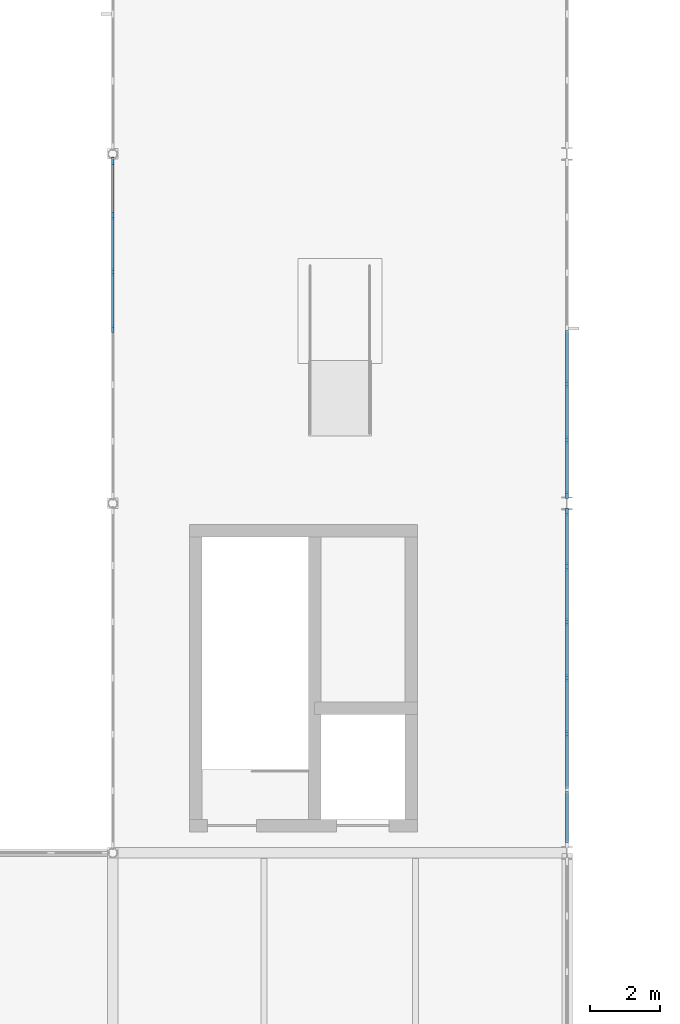
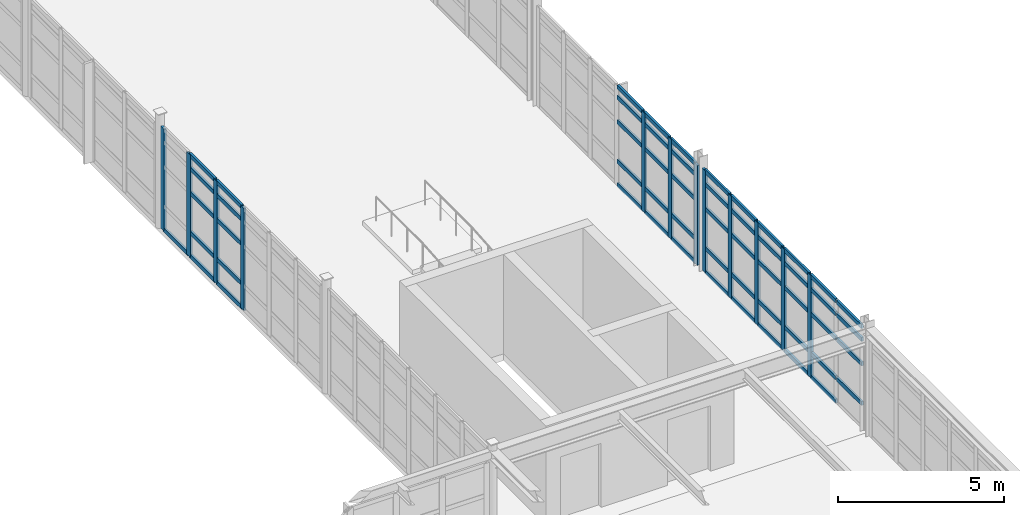
# One storey, part 52 of 122: 67 members, 3 elements without a shape of their own.
"""IFC4 building model written with IfcOpenShell, lengths in metres."""

from ifc_helpers import new_model, si_unit, direction, frame, origin, origin_2d, place, context, subcontext, project, spatial, rectangle, extrude, material, layer, layer_set, material_profile, profile_set, type_object, element, aggregate, save


model = new_model("IFC4")

# Units and contexts
model_context = context("Model", 3, precision=1e-05, world=origin(), true_north=direction((0.0, 1.0)))
body_context = subcontext(model_context, "Body", "Model", "MODEL_VIEW")
ifc_project = project(units=[si_unit("LENGTHUNIT", "METRE"), si_unit("AREAUNIT", "SQUARE_METRE"), si_unit("VOLUMEUNIT", "CUBIC_METRE"), si_unit("PLANEANGLEUNIT", "RADIAN"), si_unit("MASSUNIT", "GRAM", prefix="KILO"), si_unit("THERMODYNAMICTEMPERATUREUNIT", "KELVIN"), si_unit("POWERUNIT", "WATT")], contexts=[model_context])

# Site, building, storey
site_placement = place(None, origin())
site = spatial("IfcSite", under=ifc_project, at=site_placement, CompositionType="ELEMENT")
building_placement = place(site_placement, origin())
building = spatial("IfcBuilding", under=site, at=building_placement, Name="Korenveer Ferry Terminal", CompositionType="ELEMENT")
storey_placement = place(building_placement, frame((0.0, 0.0, 10.199951171875)))
storey = spatial("IfcBuildingStorey", under=building, at=storey_placement, Name="L02", CompositionType="ELEMENT", Elevation=10.199951171875)

# Curtain wall, members
ifc_material_1 = material(Name="Unitised bronze-and-glass curtain wall", Category="glass")
ifc_layer_1 = layer(ifc_material_1, 0.219970703125)
ifc_layer_set_1 = layer_set([ifc_layer_1], Name="Unitised bronze-and-glass curtain wall")
curtain_wall_type_1 = type_object("IfcCurtainWallType", Name="ENV-CW-111", PredefinedType="USERDEFINED", material=ifc_layer_set_1)
curtain_wall_1_placement = place(storey_placement, frame((40.0, 90.16650390625, 0.0)))
curtain_wall_1 = element("IfcCurtainWall", 1, at=curtain_wall_1_placement, inside=storey, type_object=curtain_wall_type_1, Name="Lancet curtain wall CWX-L02-X40-40-Y90-100", ObjectType="UNITISED CURTAIN WALL", PredefinedType="USERDEFINED")
ifc_material_2 = material(Name="Anodised bronze aluminium", Category="aluminium")
ifc_material_profile_1 = material_profile(ifc_material_2, rectangle(XDim=0.074951171875, YDim=0.219970703125, at=origin_2d()), Name="ALU 75x220")
ifc_profile_set_1 = profile_set([ifc_material_profile_1], Name="Anodised bronze aluminium")
member_type_1 = type_object("IfcMemberType", Name="ENV-CWM-75X220", PredefinedType="MULLION", material=ifc_profile_set_1)
member_1_placement = place(storey_placement, frame((40.0, 95.0, 0.0), z_axis=(0.0, 0.0, 1.0), x_axis=(-1.0, 0.0, 0.0)))
member_1 = element("IfcMember", 2, at=member_1_placement, type_object=member_type_1, Name="CW-111 mullion 4", PredefinedType="MULLION", context=body_context, shape_type="SweptSolid", body=[
    extrude(rectangle(XDim=0.074951171875, YDim=0.219970703125, at=origin_2d()), origin(), (0.0, 0.0, 1.0), 3.760009765625),
])
member_2_placement = place(storey_placement, frame((40.0, 96.611083984375, 0.0), z_axis=(0.0, 0.0, 1.0), x_axis=(-1.0, 0.0, 0.0)))
member_2 = element("IfcMember", 3, at=member_2_placement, type_object=member_type_1, Name="CW-111 mullion 5", PredefinedType="MULLION", context=body_context, shape_type="SweptSolid", body=[
    extrude(rectangle(XDim=0.074951171875, YDim=0.219970703125, at=origin_2d()), origin(), (0.0, 0.0, 1.0), 3.760009765625),
])
member_3_placement = place(storey_placement, frame((40.0, 98.222412109375, 0.0), z_axis=(0.0, 0.0, 1.0), x_axis=(-1.0, 0.0, 0.0)))
member_3 = element("IfcMember", 4, at=member_3_placement, type_object=member_type_1, Name="CW-111 mullion 6", PredefinedType="MULLION", context=body_context, shape_type="SweptSolid", body=[
    extrude(rectangle(XDim=0.074951171875, YDim=0.219970703125, at=origin_2d()), origin(), (0.0, 0.0, 1.0), 3.760009765625),
])
member_4_placement = place(storey_placement, frame((40.0, 99.7958984375, 0.0), z_axis=(0.0, 0.0, 1.0), x_axis=(-1.0, 0.0, 0.0)))
member_4 = element("IfcMember", 5, at=member_4_placement, type_object=member_type_1, Name="CW-111 mullion 7", PredefinedType="MULLION", context=body_context, shape_type="SweptSolid", body=[
    extrude(rectangle(XDim=0.074951171875, YDim=0.219970703125, at=origin_2d()), origin(), (0.0, 0.0, 1.0), 3.760009765625),
])

ifc_layer_2 = layer(ifc_material_1, 0.219970703125)
ifc_layer_set_2 = layer_set([ifc_layer_2], Name="Unitised bronze-and-glass curtain wall")
curtain_wall_type_2 = type_object("IfcCurtainWallType", Name="ENV-CW-117", PredefinedType="USERDEFINED", material=ifc_layer_set_2)
curtain_wall_2_placement = place(storey_placement, frame((53.0, 89.7900390625, 0.0)))
curtain_wall_2 = element("IfcCurtainWall", 6, at=curtain_wall_2_placement, inside=storey, type_object=curtain_wall_type_2, Name="Lancet curtain wall CWX-L02-X53-53-Y80-90", ObjectType="UNITISED CURTAIN WALL", PredefinedType="USERDEFINED")
member_5_placement = place(storey_placement, frame((53.0, 89.75244140625, 0.0), z_axis=(0.0, 0.0, 1.0), x_axis=(1.0, 0.0, 0.0)))
member_5 = element("IfcMember", 7, at=member_5_placement, type_object=member_type_1, Name="CW-117 mullion 1", PredefinedType="MULLION", context=body_context, shape_type="SweptSolid", body=[
    extrude(rectangle(XDim=0.074951171875, YDim=0.219970703125, at=origin_2d()), origin(), (0.0, 0.0, 1.0), 3.760009765625),
])
member_6_placement = place(storey_placement, frame((53.0, 88.193359375, 0.0), z_axis=(0.0, 0.0, 1.0), x_axis=(1.0, 0.0, 0.0)))
member_6 = element("IfcMember", 8, at=member_6_placement, type_object=member_type_1, Name="CW-117 mullion 2", PredefinedType="MULLION", context=body_context, shape_type="SweptSolid", body=[
    extrude(rectangle(XDim=0.074951171875, YDim=0.219970703125, at=origin_2d()), origin(), (0.0, 0.0, 1.0), 3.760009765625),
])
member_7_placement = place(storey_placement, frame((53.0, 86.5966796875, 0.0), z_axis=(0.0, 0.0, 1.0), x_axis=(1.0, 0.0, 0.0)))
member_7 = element("IfcMember", 9, at=member_7_placement, type_object=member_type_1, Name="CW-117 mullion 3", PredefinedType="MULLION", context=body_context, shape_type="SweptSolid", body=[
    extrude(rectangle(XDim=0.074951171875, YDim=0.219970703125, at=origin_2d()), origin(), (0.0, 0.0, 1.0), 3.760009765625),
])
member_8_placement = place(storey_placement, frame((53.0, 85.0, 0.0), z_axis=(0.0, 0.0, 1.0), x_axis=(1.0, 0.0, 0.0)))
member_8 = element("IfcMember", 10, at=member_8_placement, type_object=member_type_1, Name="CW-117 mullion 4", PredefinedType="MULLION", context=body_context, shape_type="SweptSolid", body=[
    extrude(rectangle(XDim=0.074951171875, YDim=0.219970703125, at=origin_2d()), origin(), (0.0, 0.0, 1.0), 3.760009765625),
])
member_9_placement = place(storey_placement, frame((53.0, 83.4033203125, 0.0), z_axis=(0.0, 0.0, 1.0), x_axis=(1.0, 0.0, 0.0)))
member_9 = element("IfcMember", 11, at=member_9_placement, type_object=member_type_1, Name="CW-117 mullion 5", PredefinedType="MULLION", context=body_context, shape_type="SweptSolid", body=[
    extrude(rectangle(XDim=0.074951171875, YDim=0.219970703125, at=origin_2d()), origin(), (0.0, 0.0, 1.0), 3.760009765625),
])

ifc_layer_3 = layer(ifc_material_1, 0.219970703125)
ifc_layer_set_3 = layer_set([ifc_layer_3], Name="Unitised bronze-and-glass curtain wall")
curtain_wall_type_3 = type_object("IfcCurtainWallType", Name="ENV-CW-115", PredefinedType="USERDEFINED", material=ifc_layer_set_3)
curtain_wall_3_placement = place(storey_placement, frame((53.0, 99.7900390625, 0.0)))
curtain_wall_3 = element("IfcCurtainWall", 12, at=curtain_wall_3_placement, inside=storey, type_object=curtain_wall_type_3, Name="Lancet curtain wall CWX-L02-X53-53-Y90-100", ObjectType="UNITISED CURTAIN WALL", PredefinedType="USERDEFINED")
member_10_placement = place(storey_placement, frame((53.0, 93.4033203125, 0.0), z_axis=(0.0, 0.0, 1.0), x_axis=(1.0, 0.0, 0.0)))
member_10 = element("IfcMember", 13, at=member_10_placement, type_object=member_type_1, Name="CW-115 mullion 5", PredefinedType="MULLION", context=body_context, shape_type="SweptSolid", body=[
    extrude(rectangle(XDim=0.074951171875, YDim=0.219970703125, at=origin_2d()), origin(), (0.0, 0.0, 1.0), 3.66015625),
])
member_11_placement = place(storey_placement, frame((53.0, 91.806640625, 0.0), z_axis=(0.0, 0.0, 1.0), x_axis=(1.0, 0.0, 0.0)))
member_11 = element("IfcMember", 14, at=member_11_placement, type_object=member_type_1, Name="CW-115 mullion 6", PredefinedType="MULLION", context=body_context, shape_type="SweptSolid", body=[
    extrude(rectangle(XDim=0.074951171875, YDim=0.219970703125, at=origin_2d()), origin(), (0.0, 0.0, 1.0), 3.66015625),
])
member_12_placement = place(storey_placement, frame((53.0, 90.24755859375, 0.0), z_axis=(0.0, 0.0, 1.0), x_axis=(1.0, 0.0, 0.0)))
member_12 = element("IfcMember", 15, at=member_12_placement, type_object=member_type_1, Name="CW-115 mullion 7", PredefinedType="MULLION", context=body_context, shape_type="SweptSolid", body=[
    extrude(rectangle(XDim=0.074951171875, YDim=0.219970703125, at=origin_2d()), origin(), (0.0, 0.0, 1.0), 3.66015625),
])

# Member
ifc_material_profile_2 = material_profile(ifc_material_2, rectangle(XDim=0.074951171875, YDim=0.14990234375, at=origin_2d()), Name="ALU 75x150")
ifc_profile_set_2 = profile_set([ifc_material_profile_2], Name="Anodised bronze aluminium")
member_type_2 = type_object("IfcMemberType", Name="ENV-CWT-75X150", PredefinedType="USERDEFINED", material=ifc_profile_set_2)
member_13_placement = place(storey_placement, frame((40.0, 95.03759765625, 0.03759765625), z_axis=(0.0, 1.0, 0.0), x_axis=(-1.0, 0.0, 0.0)))
member_13 = element("IfcMember", 16, at=member_13_placement, type_object=member_type_2, Name="CW-111 transom 4.1", ObjectType="TRANSOM", PredefinedType="USERDEFINED", context=body_context, shape_type="SweptSolid", body=[
    extrude(rectangle(XDim=0.074951171875, YDim=0.14990234375, at=origin_2d()), origin(), (0.0, 0.0, 1.0), 1.5361328125),
])

member_14_placement = place(storey_placement, frame((40.0, 95.03759765625, 0.900146484375), z_axis=(0.0, 1.0, 0.0), x_axis=(-1.0, 0.0, 0.0)))
member_14 = element("IfcMember", 17, at=member_14_placement, type_object=member_type_2, Name="CW-111 transom 4.2", ObjectType="TRANSOM", PredefinedType="USERDEFINED", context=body_context, shape_type="SweptSolid", body=[
    extrude(rectangle(XDim=0.074951171875, YDim=0.14990234375, at=origin_2d()), origin(), (0.0, 0.0, 1.0), 1.5361328125),
])

member_15_placement = place(storey_placement, frame((40.0, 95.03759765625, 2.35009765625), z_axis=(0.0, 1.0, 0.0), x_axis=(-1.0, 0.0, 0.0)))
member_15 = element("IfcMember", 18, at=member_15_placement, type_object=member_type_2, Name="CW-111 transom 4.3", ObjectType="TRANSOM", PredefinedType="USERDEFINED", context=body_context, shape_type="SweptSolid", body=[
    extrude(rectangle(XDim=0.074951171875, YDim=0.14990234375, at=origin_2d()), origin(), (0.0, 0.0, 1.0), 1.5361328125),
])

member_16_placement = place(storey_placement, frame((40.0, 95.03759765625, 3.25), z_axis=(0.0, 1.0, 0.0), x_axis=(-1.0, 0.0, 0.0)))
member_16 = element("IfcMember", 19, at=member_16_placement, type_object=member_type_2, Name="CW-111 transom 4.4", ObjectType="TRANSOM", PredefinedType="USERDEFINED", context=body_context, shape_type="SweptSolid", body=[
    extrude(rectangle(XDim=0.074951171875, YDim=0.14990234375, at=origin_2d()), origin(), (0.0, 0.0, 1.0), 1.5361328125),
])

member_17_placement = place(storey_placement, frame((40.0, 95.03759765625, 3.72265625), z_axis=(0.0, 1.0, 0.0), x_axis=(-1.0, 0.0, 0.0)))
member_17 = element("IfcMember", 20, at=member_17_placement, type_object=member_type_2, Name="CW-111 transom 4.5", ObjectType="TRANSOM", PredefinedType="USERDEFINED", context=body_context, shape_type="SweptSolid", body=[
    extrude(rectangle(XDim=0.074951171875, YDim=0.14990234375, at=origin_2d()), origin(), (0.0, 0.0, 1.0), 1.5361328125),
])

member_18_placement = place(storey_placement, frame((40.0, 96.648681640625, 0.03759765625), z_axis=(0.0, 1.0, 0.0), x_axis=(-1.0, 0.0, 0.0)))
member_18 = element("IfcMember", 21, at=member_18_placement, type_object=member_type_2, Name="CW-111 transom 5.1", ObjectType="TRANSOM", PredefinedType="USERDEFINED", context=body_context, shape_type="SweptSolid", body=[
    extrude(rectangle(XDim=0.074951171875, YDim=0.14990234375, at=origin_2d()), origin(), (0.0, 0.0, 1.0), 1.5361328125),
])

member_19_placement = place(storey_placement, frame((40.0, 96.648681640625, 0.900146484375), z_axis=(0.0, 1.0, 0.0), x_axis=(-1.0, 0.0, 0.0)))
member_19 = element("IfcMember", 22, at=member_19_placement, type_object=member_type_2, Name="CW-111 transom 5.2", ObjectType="TRANSOM", PredefinedType="USERDEFINED", context=body_context, shape_type="SweptSolid", body=[
    extrude(rectangle(XDim=0.074951171875, YDim=0.14990234375, at=origin_2d()), origin(), (0.0, 0.0, 1.0), 1.5361328125),
])

member_20_placement = place(storey_placement, frame((40.0, 96.648681640625, 2.35009765625), z_axis=(0.0, 1.0, 0.0), x_axis=(-1.0, 0.0, 0.0)))
member_20 = element("IfcMember", 23, at=member_20_placement, type_object=member_type_2, Name="CW-111 transom 5.3", ObjectType="TRANSOM", PredefinedType="USERDEFINED", context=body_context, shape_type="SweptSolid", body=[
    extrude(rectangle(XDim=0.074951171875, YDim=0.14990234375, at=origin_2d()), origin(), (0.0, 0.0, 1.0), 1.5361328125),
])

member_21_placement = place(storey_placement, frame((40.0, 96.648681640625, 3.25), z_axis=(0.0, 1.0, 0.0), x_axis=(-1.0, 0.0, 0.0)))
member_21 = element("IfcMember", 24, at=member_21_placement, type_object=member_type_2, Name="CW-111 transom 5.4", ObjectType="TRANSOM", PredefinedType="USERDEFINED", context=body_context, shape_type="SweptSolid", body=[
    extrude(rectangle(XDim=0.074951171875, YDim=0.14990234375, at=origin_2d()), origin(), (0.0, 0.0, 1.0), 1.5361328125),
])

member_22_placement = place(storey_placement, frame((40.0, 96.648681640625, 3.72265625), z_axis=(0.0, 1.0, 0.0), x_axis=(-1.0, 0.0, 0.0)))
member_22 = element("IfcMember", 25, at=member_22_placement, type_object=member_type_2, Name="CW-111 transom 5.5", ObjectType="TRANSOM", PredefinedType="USERDEFINED", context=body_context, shape_type="SweptSolid", body=[
    extrude(rectangle(XDim=0.074951171875, YDim=0.14990234375, at=origin_2d()), origin(), (0.0, 0.0, 1.0), 1.5361328125),
])

member_23_placement = place(storey_placement, frame((40.0, 98.259765625, 0.03759765625), z_axis=(0.0, 1.0, 0.0), x_axis=(-1.0, 0.0, 0.0)))
member_23 = element("IfcMember", 26, at=member_23_placement, type_object=member_type_2, Name="CW-111 transom 6.1", ObjectType="TRANSOM", PredefinedType="USERDEFINED", context=body_context, shape_type="SweptSolid", body=[
    extrude(rectangle(XDim=0.074951171875, YDim=0.14990234375, at=origin_2d()), origin(), (0.0, 0.0, 1.0), 1.498779296875),
])

aggregate(curtain_wall_1, [member_1, member_2, member_3, member_4, member_13, member_14, member_15, member_16, member_17, member_18, member_19, member_20, member_21, member_22, member_23])

member_24_placement = place(storey_placement, frame((53.0, 89.715087890625, 0.03759765625), z_axis=(0.0, -1.0, 0.0), x_axis=(1.0, 0.0, 0.0)))
member_24 = element("IfcMember", 27, at=member_24_placement, type_object=member_type_2, Name="CW-117 transom 1.1", ObjectType="TRANSOM", PredefinedType="USERDEFINED", context=body_context, shape_type="SweptSolid", body=[
    extrude(rectangle(XDim=0.074951171875, YDim=0.14990234375, at=origin_2d()), origin(), (0.0, 0.0, 1.0), 1.484375),
])

member_25_placement = place(storey_placement, frame((53.0, 89.715087890625, 0.900146484375), z_axis=(0.0, -1.0, 0.0), x_axis=(1.0, 0.0, 0.0)))
member_25 = element("IfcMember", 28, at=member_25_placement, type_object=member_type_2, Name="CW-117 transom 1.2", ObjectType="TRANSOM", PredefinedType="USERDEFINED", context=body_context, shape_type="SweptSolid", body=[
    extrude(rectangle(XDim=0.074951171875, YDim=0.14990234375, at=origin_2d()), origin(), (0.0, 0.0, 1.0), 1.484375),
])

member_26_placement = place(storey_placement, frame((53.0, 89.715087890625, 2.35009765625), z_axis=(0.0, -1.0, 0.0), x_axis=(1.0, 0.0, 0.0)))
member_26 = element("IfcMember", 29, at=member_26_placement, type_object=member_type_2, Name="CW-117 transom 1.3", ObjectType="TRANSOM", PredefinedType="USERDEFINED", context=body_context, shape_type="SweptSolid", body=[
    extrude(rectangle(XDim=0.074951171875, YDim=0.14990234375, at=origin_2d()), origin(), (0.0, 0.0, 1.0), 1.484375),
])

member_27_placement = place(storey_placement, frame((53.0, 89.715087890625, 3.25), z_axis=(0.0, -1.0, 0.0), x_axis=(1.0, 0.0, 0.0)))
member_27 = element("IfcMember", 30, at=member_27_placement, type_object=member_type_2, Name="CW-117 transom 1.4", ObjectType="TRANSOM", PredefinedType="USERDEFINED", context=body_context, shape_type="SweptSolid", body=[
    extrude(rectangle(XDim=0.074951171875, YDim=0.14990234375, at=origin_2d()), origin(), (0.0, 0.0, 1.0), 1.484375),
])

member_28_placement = place(storey_placement, frame((53.0, 89.715087890625, 3.72265625), z_axis=(0.0, -1.0, 0.0), x_axis=(1.0, 0.0, 0.0)))
member_28 = element("IfcMember", 31, at=member_28_placement, type_object=member_type_2, Name="CW-117 transom 1.5", ObjectType="TRANSOM", PredefinedType="USERDEFINED", context=body_context, shape_type="SweptSolid", body=[
    extrude(rectangle(XDim=0.074951171875, YDim=0.14990234375, at=origin_2d()), origin(), (0.0, 0.0, 1.0), 1.484375),
])

member_29_placement = place(storey_placement, frame((53.0, 88.15576171875, 0.03759765625), z_axis=(0.0, -1.0, 0.0), x_axis=(1.0, 0.0, 0.0)))
member_29 = element("IfcMember", 32, at=member_29_placement, type_object=member_type_2, Name="CW-117 transom 2.1", ObjectType="TRANSOM", PredefinedType="USERDEFINED", context=body_context, shape_type="SweptSolid", body=[
    extrude(rectangle(XDim=0.074951171875, YDim=0.14990234375, at=origin_2d()), origin(), (0.0, 0.0, 1.0), 1.521484375),
])

member_30_placement = place(storey_placement, frame((53.0, 88.15576171875, 0.900146484375), z_axis=(0.0, -1.0, 0.0), x_axis=(1.0, 0.0, 0.0)))
member_30 = element("IfcMember", 33, at=member_30_placement, type_object=member_type_2, Name="CW-117 transom 2.2", ObjectType="TRANSOM", PredefinedType="USERDEFINED", context=body_context, shape_type="SweptSolid", body=[
    extrude(rectangle(XDim=0.074951171875, YDim=0.14990234375, at=origin_2d()), origin(), (0.0, 0.0, 1.0), 1.521484375),
])

member_31_placement = place(storey_placement, frame((53.0, 88.15576171875, 2.35009765625), z_axis=(0.0, -1.0, 0.0), x_axis=(1.0, 0.0, 0.0)))
member_31 = element("IfcMember", 34, at=member_31_placement, type_object=member_type_2, Name="CW-117 transom 2.3", ObjectType="TRANSOM", PredefinedType="USERDEFINED", context=body_context, shape_type="SweptSolid", body=[
    extrude(rectangle(XDim=0.074951171875, YDim=0.14990234375, at=origin_2d()), origin(), (0.0, 0.0, 1.0), 1.521484375),
])

member_32_placement = place(storey_placement, frame((53.0, 88.15576171875, 3.25), z_axis=(0.0, -1.0, 0.0), x_axis=(1.0, 0.0, 0.0)))
member_32 = element("IfcMember", 35, at=member_32_placement, type_object=member_type_2, Name="CW-117 transom 2.4", ObjectType="TRANSOM", PredefinedType="USERDEFINED", context=body_context, shape_type="SweptSolid", body=[
    extrude(rectangle(XDim=0.074951171875, YDim=0.14990234375, at=origin_2d()), origin(), (0.0, 0.0, 1.0), 1.521484375),
])

member_33_placement = place(storey_placement, frame((53.0, 88.15576171875, 3.72265625), z_axis=(0.0, -1.0, 0.0), x_axis=(1.0, 0.0, 0.0)))
member_33 = element("IfcMember", 36, at=member_33_placement, type_object=member_type_2, Name="CW-117 transom 2.5", ObjectType="TRANSOM", PredefinedType="USERDEFINED", context=body_context, shape_type="SweptSolid", body=[
    extrude(rectangle(XDim=0.074951171875, YDim=0.14990234375, at=origin_2d()), origin(), (0.0, 0.0, 1.0), 1.521484375),
])

member_34_placement = place(storey_placement, frame((53.0, 86.55908203125, 0.03759765625), z_axis=(0.0, -1.0, 0.0), x_axis=(1.0, 0.0, 0.0)))
member_34 = element("IfcMember", 37, at=member_34_placement, type_object=member_type_2, Name="CW-117 transom 3.1", ObjectType="TRANSOM", PredefinedType="USERDEFINED", context=body_context, shape_type="SweptSolid", body=[
    extrude(rectangle(XDim=0.074951171875, YDim=0.14990234375, at=origin_2d()), origin(), (0.0, 0.0, 1.0), 1.521484375),
])

member_35_placement = place(storey_placement, frame((53.0, 86.55908203125, 0.900146484375), z_axis=(0.0, -1.0, 0.0), x_axis=(1.0, 0.0, 0.0)))
member_35 = element("IfcMember", 38, at=member_35_placement, type_object=member_type_2, Name="CW-117 transom 3.2", ObjectType="TRANSOM", PredefinedType="USERDEFINED", context=body_context, shape_type="SweptSolid", body=[
    extrude(rectangle(XDim=0.074951171875, YDim=0.14990234375, at=origin_2d()), origin(), (0.0, 0.0, 1.0), 1.521484375),
])

member_36_placement = place(storey_placement, frame((53.0, 86.55908203125, 2.35009765625), z_axis=(0.0, -1.0, 0.0), x_axis=(1.0, 0.0, 0.0)))
member_36 = element("IfcMember", 39, at=member_36_placement, type_object=member_type_2, Name="CW-117 transom 3.3", ObjectType="TRANSOM", PredefinedType="USERDEFINED", context=body_context, shape_type="SweptSolid", body=[
    extrude(rectangle(XDim=0.074951171875, YDim=0.14990234375, at=origin_2d()), origin(), (0.0, 0.0, 1.0), 1.521484375),
])

member_37_placement = place(storey_placement, frame((53.0, 86.55908203125, 3.25), z_axis=(0.0, -1.0, 0.0), x_axis=(1.0, 0.0, 0.0)))
member_37 = element("IfcMember", 40, at=member_37_placement, type_object=member_type_2, Name="CW-117 transom 3.4", ObjectType="TRANSOM", PredefinedType="USERDEFINED", context=body_context, shape_type="SweptSolid", body=[
    extrude(rectangle(XDim=0.074951171875, YDim=0.14990234375, at=origin_2d()), origin(), (0.0, 0.0, 1.0), 1.521484375),
])

member_38_placement = place(storey_placement, frame((53.0, 86.55908203125, 3.72265625), z_axis=(0.0, -1.0, 0.0), x_axis=(1.0, 0.0, 0.0)))
member_38 = element("IfcMember", 41, at=member_38_placement, type_object=member_type_2, Name="CW-117 transom 3.5", ObjectType="TRANSOM", PredefinedType="USERDEFINED", context=body_context, shape_type="SweptSolid", body=[
    extrude(rectangle(XDim=0.074951171875, YDim=0.14990234375, at=origin_2d()), origin(), (0.0, 0.0, 1.0), 1.521484375),
])

member_39_placement = place(storey_placement, frame((53.0, 84.96240234375, 0.03759765625), z_axis=(0.0, -1.0, 0.0), x_axis=(1.0, 0.0, 0.0)))
member_39 = element("IfcMember", 42, at=member_39_placement, type_object=member_type_2, Name="CW-117 transom 4.1", ObjectType="TRANSOM", PredefinedType="USERDEFINED", context=body_context, shape_type="SweptSolid", body=[
    extrude(rectangle(XDim=0.074951171875, YDim=0.14990234375, at=origin_2d()), origin(), (0.0, 0.0, 1.0), 1.521484375),
])

member_40_placement = place(storey_placement, frame((53.0, 84.96240234375, 0.900146484375), z_axis=(0.0, -1.0, 0.0), x_axis=(1.0, 0.0, 0.0)))
member_40 = element("IfcMember", 43, at=member_40_placement, type_object=member_type_2, Name="CW-117 transom 4.2", ObjectType="TRANSOM", PredefinedType="USERDEFINED", context=body_context, shape_type="SweptSolid", body=[
    extrude(rectangle(XDim=0.074951171875, YDim=0.14990234375, at=origin_2d()), origin(), (0.0, 0.0, 1.0), 1.521484375),
])

member_41_placement = place(storey_placement, frame((53.0, 84.96240234375, 2.35009765625), z_axis=(0.0, -1.0, 0.0), x_axis=(1.0, 0.0, 0.0)))
member_41 = element("IfcMember", 44, at=member_41_placement, type_object=member_type_2, Name="CW-117 transom 4.3", ObjectType="TRANSOM", PredefinedType="USERDEFINED", context=body_context, shape_type="SweptSolid", body=[
    extrude(rectangle(XDim=0.074951171875, YDim=0.14990234375, at=origin_2d()), origin(), (0.0, 0.0, 1.0), 1.521484375),
])

member_42_placement = place(storey_placement, frame((53.0, 84.96240234375, 3.25), z_axis=(0.0, -1.0, 0.0), x_axis=(1.0, 0.0, 0.0)))
member_42 = element("IfcMember", 45, at=member_42_placement, type_object=member_type_2, Name="CW-117 transom 4.4", ObjectType="TRANSOM", PredefinedType="USERDEFINED", context=body_context, shape_type="SweptSolid", body=[
    extrude(rectangle(XDim=0.074951171875, YDim=0.14990234375, at=origin_2d()), origin(), (0.0, 0.0, 1.0), 1.521484375),
])

member_43_placement = place(storey_placement, frame((53.0, 84.96240234375, 3.72265625), z_axis=(0.0, -1.0, 0.0), x_axis=(1.0, 0.0, 0.0)))
member_43 = element("IfcMember", 46, at=member_43_placement, type_object=member_type_2, Name="CW-117 transom 4.5", ObjectType="TRANSOM", PredefinedType="USERDEFINED", context=body_context, shape_type="SweptSolid", body=[
    extrude(rectangle(XDim=0.074951171875, YDim=0.14990234375, at=origin_2d()), origin(), (0.0, 0.0, 1.0), 1.521484375),
])

member_44_placement = place(storey_placement, frame((53.0, 83.36572265625, 0.03759765625), z_axis=(0.0, -1.0, 0.0), x_axis=(1.0, 0.0, 0.0)))
member_44 = element("IfcMember", 47, at=member_44_placement, type_object=member_type_2, Name="CW-117 transom 5.1", ObjectType="TRANSOM", PredefinedType="USERDEFINED", context=body_context, shape_type="SweptSolid", body=[
    extrude(rectangle(XDim=0.074951171875, YDim=0.14990234375, at=origin_2d()), origin(), (0.0, 0.0, 1.0), 1.521484375),
])

member_45_placement = place(storey_placement, frame((53.0, 83.36572265625, 0.900146484375), z_axis=(0.0, -1.0, 0.0), x_axis=(1.0, 0.0, 0.0)))
member_45 = element("IfcMember", 48, at=member_45_placement, type_object=member_type_2, Name="CW-117 transom 5.2", ObjectType="TRANSOM", PredefinedType="USERDEFINED", context=body_context, shape_type="SweptSolid", body=[
    extrude(rectangle(XDim=0.074951171875, YDim=0.14990234375, at=origin_2d()), origin(), (0.0, 0.0, 1.0), 1.521484375),
])

member_46_placement = place(storey_placement, frame((53.0, 83.36572265625, 2.35009765625), z_axis=(0.0, -1.0, 0.0), x_axis=(1.0, 0.0, 0.0)))
member_46 = element("IfcMember", 49, at=member_46_placement, type_object=member_type_2, Name="CW-117 transom 5.3", ObjectType="TRANSOM", PredefinedType="USERDEFINED", context=body_context, shape_type="SweptSolid", body=[
    extrude(rectangle(XDim=0.074951171875, YDim=0.14990234375, at=origin_2d()), origin(), (0.0, 0.0, 1.0), 1.521484375),
])

member_47_placement = place(storey_placement, frame((53.0, 83.36572265625, 3.25), z_axis=(0.0, -1.0, 0.0), x_axis=(1.0, 0.0, 0.0)))
member_47 = element("IfcMember", 50, at=member_47_placement, type_object=member_type_2, Name="CW-117 transom 5.4", ObjectType="TRANSOM", PredefinedType="USERDEFINED", context=body_context, shape_type="SweptSolid", body=[
    extrude(rectangle(XDim=0.074951171875, YDim=0.14990234375, at=origin_2d()), origin(), (0.0, 0.0, 1.0), 1.521484375),
])

member_48_placement = place(storey_placement, frame((53.0, 83.36572265625, 3.72265625), z_axis=(0.0, -1.0, 0.0), x_axis=(1.0, 0.0, 0.0)))
member_48 = element("IfcMember", 51, at=member_48_placement, type_object=member_type_2, Name="CW-117 transom 5.5", ObjectType="TRANSOM", PredefinedType="USERDEFINED", context=body_context, shape_type="SweptSolid", body=[
    extrude(rectangle(XDim=0.074951171875, YDim=0.14990234375, at=origin_2d()), origin(), (0.0, 0.0, 1.0), 1.521484375),
])

member_49_placement = place(storey_placement, frame((53.0, 81.769287109375, 0.900146484375), z_axis=(0.0, -1.0, 0.0), x_axis=(1.0, 0.0, 0.0)))
member_49 = element("IfcMember", 52, at=member_49_placement, type_object=member_type_2, Name="CW-117 transom 6.2", ObjectType="TRANSOM", PredefinedType="USERDEFINED", context=body_context, shape_type="SweptSolid", body=[
    extrude(rectangle(XDim=0.074951171875, YDim=0.14990234375, at=origin_2d()), origin(), (0.0, 0.0, 1.0), 1.484375),
])

member_50_placement = place(storey_placement, frame((53.0, 81.769287109375, 2.35009765625), z_axis=(0.0, -1.0, 0.0), x_axis=(1.0, 0.0, 0.0)))
member_50 = element("IfcMember", 53, at=member_50_placement, type_object=member_type_2, Name="CW-117 transom 6.3", ObjectType="TRANSOM", PredefinedType="USERDEFINED", context=body_context, shape_type="SweptSolid", body=[
    extrude(rectangle(XDim=0.074951171875, YDim=0.14990234375, at=origin_2d()), origin(), (0.0, 0.0, 1.0), 1.484375),
])

member_51_placement = place(storey_placement, frame((53.0, 81.769287109375, 3.25), z_axis=(0.0, -1.0, 0.0), x_axis=(1.0, 0.0, 0.0)))
member_51 = element("IfcMember", 54, at=member_51_placement, type_object=member_type_2, Name="CW-117 transom 6.4", ObjectType="TRANSOM", PredefinedType="USERDEFINED", context=body_context, shape_type="SweptSolid", body=[
    extrude(rectangle(XDim=0.074951171875, YDim=0.14990234375, at=origin_2d()), origin(), (0.0, 0.0, 1.0), 1.484375),
])

member_52_placement = place(storey_placement, frame((53.0, 81.769287109375, 3.72265625), z_axis=(0.0, -1.0, 0.0), x_axis=(1.0, 0.0, 0.0)))
member_52 = element("IfcMember", 55, at=member_52_placement, type_object=member_type_2, Name="CW-117 transom 6.5", ObjectType="TRANSOM", PredefinedType="USERDEFINED", context=body_context, shape_type="SweptSolid", body=[
    extrude(rectangle(XDim=0.074951171875, YDim=0.14990234375, at=origin_2d()), origin(), (0.0, 0.0, 1.0), 1.484375),
])

aggregate(curtain_wall_2, [member_5, member_6, member_7, member_8, member_9, member_24, member_25, member_26, member_27, member_28, member_29, member_30, member_31, member_32, member_33, member_34, member_35, member_36, member_37, member_38, member_39, member_40, member_41, member_42, member_43, member_44, member_45, member_46, member_47, member_48, member_49, member_50, member_51, member_52])

member_53_placement = place(storey_placement, frame((53.0, 94.96240234375, 0.03759765625), z_axis=(0.0, -1.0, 0.0), x_axis=(1.0, 0.0, 0.0)))
member_53 = element("IfcMember", 56, at=member_53_placement, type_object=member_type_2, Name="CW-115 transom 4.1", ObjectType="TRANSOM", PredefinedType="USERDEFINED", context=body_context, shape_type="SweptSolid", body=[
    extrude(rectangle(XDim=0.074951171875, YDim=0.14990234375, at=origin_2d()), origin(), (0.0, 0.0, 1.0), 1.521484375),
])

member_54_placement = place(storey_placement, frame((53.0, 94.96240234375, 0.900146484375), z_axis=(0.0, -1.0, 0.0), x_axis=(1.0, 0.0, 0.0)))
member_54 = element("IfcMember", 57, at=member_54_placement, type_object=member_type_2, Name="CW-115 transom 4.2", ObjectType="TRANSOM", PredefinedType="USERDEFINED", context=body_context, shape_type="SweptSolid", body=[
    extrude(rectangle(XDim=0.074951171875, YDim=0.14990234375, at=origin_2d()), origin(), (0.0, 0.0, 1.0), 1.521484375),
])

member_55_placement = place(storey_placement, frame((53.0, 94.96240234375, 2.35009765625), z_axis=(0.0, -1.0, 0.0), x_axis=(1.0, 0.0, 0.0)))
member_55 = element("IfcMember", 58, at=member_55_placement, type_object=member_type_2, Name="CW-115 transom 4.3", ObjectType="TRANSOM", PredefinedType="USERDEFINED", context=body_context, shape_type="SweptSolid", body=[
    extrude(rectangle(XDim=0.074951171875, YDim=0.14990234375, at=origin_2d()), origin(), (0.0, 0.0, 1.0), 1.521484375),
])

member_56_placement = place(storey_placement, frame((53.0, 94.96240234375, 3.25), z_axis=(0.0, -1.0, 0.0), x_axis=(1.0, 0.0, 0.0)))
member_56 = element("IfcMember", 59, at=member_56_placement, type_object=member_type_2, Name="CW-115 transom 4.4", ObjectType="TRANSOM", PredefinedType="USERDEFINED", context=body_context, shape_type="SweptSolid", body=[
    extrude(rectangle(XDim=0.074951171875, YDim=0.14990234375, at=origin_2d()), origin(), (0.0, 0.0, 1.0), 1.521484375),
])

member_57_placement = place(storey_placement, frame((53.0, 94.96240234375, 3.62255859375), z_axis=(0.0, -1.0, 0.0), x_axis=(1.0, 0.0, 0.0)))
member_57 = element("IfcMember", 60, at=member_57_placement, type_object=member_type_2, Name="CW-115 transom 4.5", ObjectType="TRANSOM", PredefinedType="USERDEFINED", context=body_context, shape_type="SweptSolid", body=[
    extrude(rectangle(XDim=0.074951171875, YDim=0.14990234375, at=origin_2d()), origin(), (0.0, 0.0, 1.0), 1.521484375),
])

member_58_placement = place(storey_placement, frame((53.0, 93.36572265625, 0.03759765625), z_axis=(0.0, -1.0, 0.0), x_axis=(1.0, 0.0, 0.0)))
member_58 = element("IfcMember", 61, at=member_58_placement, type_object=member_type_2, Name="CW-115 transom 5.1", ObjectType="TRANSOM", PredefinedType="USERDEFINED", context=body_context, shape_type="SweptSolid", body=[
    extrude(rectangle(XDim=0.074951171875, YDim=0.14990234375, at=origin_2d()), origin(), (0.0, 0.0, 1.0), 1.521484375),
])

member_59_placement = place(storey_placement, frame((53.0, 93.36572265625, 0.900146484375), z_axis=(0.0, -1.0, 0.0), x_axis=(1.0, 0.0, 0.0)))
member_59 = element("IfcMember", 62, at=member_59_placement, type_object=member_type_2, Name="CW-115 transom 5.2", ObjectType="TRANSOM", PredefinedType="USERDEFINED", context=body_context, shape_type="SweptSolid", body=[
    extrude(rectangle(XDim=0.074951171875, YDim=0.14990234375, at=origin_2d()), origin(), (0.0, 0.0, 1.0), 1.521484375),
])

member_60_placement = place(storey_placement, frame((53.0, 93.36572265625, 2.35009765625), z_axis=(0.0, -1.0, 0.0), x_axis=(1.0, 0.0, 0.0)))
member_60 = element("IfcMember", 63, at=member_60_placement, type_object=member_type_2, Name="CW-115 transom 5.3", ObjectType="TRANSOM", PredefinedType="USERDEFINED", context=body_context, shape_type="SweptSolid", body=[
    extrude(rectangle(XDim=0.074951171875, YDim=0.14990234375, at=origin_2d()), origin(), (0.0, 0.0, 1.0), 1.521484375),
])

member_61_placement = place(storey_placement, frame((53.0, 93.36572265625, 3.25), z_axis=(0.0, -1.0, 0.0), x_axis=(1.0, 0.0, 0.0)))
member_61 = element("IfcMember", 64, at=member_61_placement, type_object=member_type_2, Name="CW-115 transom 5.4", ObjectType="TRANSOM", PredefinedType="USERDEFINED", context=body_context, shape_type="SweptSolid", body=[
    extrude(rectangle(XDim=0.074951171875, YDim=0.14990234375, at=origin_2d()), origin(), (0.0, 0.0, 1.0), 1.521484375),
])

member_62_placement = place(storey_placement, frame((53.0, 93.36572265625, 3.62255859375), z_axis=(0.0, -1.0, 0.0), x_axis=(1.0, 0.0, 0.0)))
member_62 = element("IfcMember", 65, at=member_62_placement, type_object=member_type_2, Name="CW-115 transom 5.5", ObjectType="TRANSOM", PredefinedType="USERDEFINED", context=body_context, shape_type="SweptSolid", body=[
    extrude(rectangle(XDim=0.074951171875, YDim=0.14990234375, at=origin_2d()), origin(), (0.0, 0.0, 1.0), 1.521484375),
])

member_63_placement = place(storey_placement, frame((53.0, 91.769287109375, 0.03759765625), z_axis=(0.0, -1.0, 0.0), x_axis=(1.0, 0.0, 0.0)))
member_63 = element("IfcMember", 66, at=member_63_placement, type_object=member_type_2, Name="CW-115 transom 6.1", ObjectType="TRANSOM", PredefinedType="USERDEFINED", context=body_context, shape_type="SweptSolid", body=[
    extrude(rectangle(XDim=0.074951171875, YDim=0.14990234375, at=origin_2d()), origin(), (0.0, 0.0, 1.0), 1.484375),
])

member_64_placement = place(storey_placement, frame((53.0, 91.769287109375, 0.900146484375), z_axis=(0.0, -1.0, 0.0), x_axis=(1.0, 0.0, 0.0)))
member_64 = element("IfcMember", 67, at=member_64_placement, type_object=member_type_2, Name="CW-115 transom 6.2", ObjectType="TRANSOM", PredefinedType="USERDEFINED", context=body_context, shape_type="SweptSolid", body=[
    extrude(rectangle(XDim=0.074951171875, YDim=0.14990234375, at=origin_2d()), origin(), (0.0, 0.0, 1.0), 1.484375),
])

member_65_placement = place(storey_placement, frame((53.0, 91.769287109375, 2.35009765625), z_axis=(0.0, -1.0, 0.0), x_axis=(1.0, 0.0, 0.0)))
member_65 = element("IfcMember", 68, at=member_65_placement, type_object=member_type_2, Name="CW-115 transom 6.3", ObjectType="TRANSOM", PredefinedType="USERDEFINED", context=body_context, shape_type="SweptSolid", body=[
    extrude(rectangle(XDim=0.074951171875, YDim=0.14990234375, at=origin_2d()), origin(), (0.0, 0.0, 1.0), 1.484375),
])

member_66_placement = place(storey_placement, frame((53.0, 91.769287109375, 3.25), z_axis=(0.0, -1.0, 0.0), x_axis=(1.0, 0.0, 0.0)))
member_66 = element("IfcMember", 69, at=member_66_placement, type_object=member_type_2, Name="CW-115 transom 6.4", ObjectType="TRANSOM", PredefinedType="USERDEFINED", context=body_context, shape_type="SweptSolid", body=[
    extrude(rectangle(XDim=0.074951171875, YDim=0.14990234375, at=origin_2d()), origin(), (0.0, 0.0, 1.0), 1.484375),
])

member_67_placement = place(storey_placement, frame((53.0, 91.769287109375, 3.62255859375), z_axis=(0.0, -1.0, 0.0), x_axis=(1.0, 0.0, 0.0)))
member_67 = element("IfcMember", 70, at=member_67_placement, type_object=member_type_2, Name="CW-115 transom 6.5", ObjectType="TRANSOM", PredefinedType="USERDEFINED", context=body_context, shape_type="SweptSolid", body=[
    extrude(rectangle(XDim=0.074951171875, YDim=0.14990234375, at=origin_2d()), origin(), (0.0, 0.0, 1.0), 1.484375),
])

aggregate(curtain_wall_3, [member_10, member_11, member_12, member_53, member_54, member_55, member_56, member_57, member_58, member_59, member_60, member_61, member_62, member_63, member_64, member_65, member_66, member_67])

save(model, "model.ifc")
